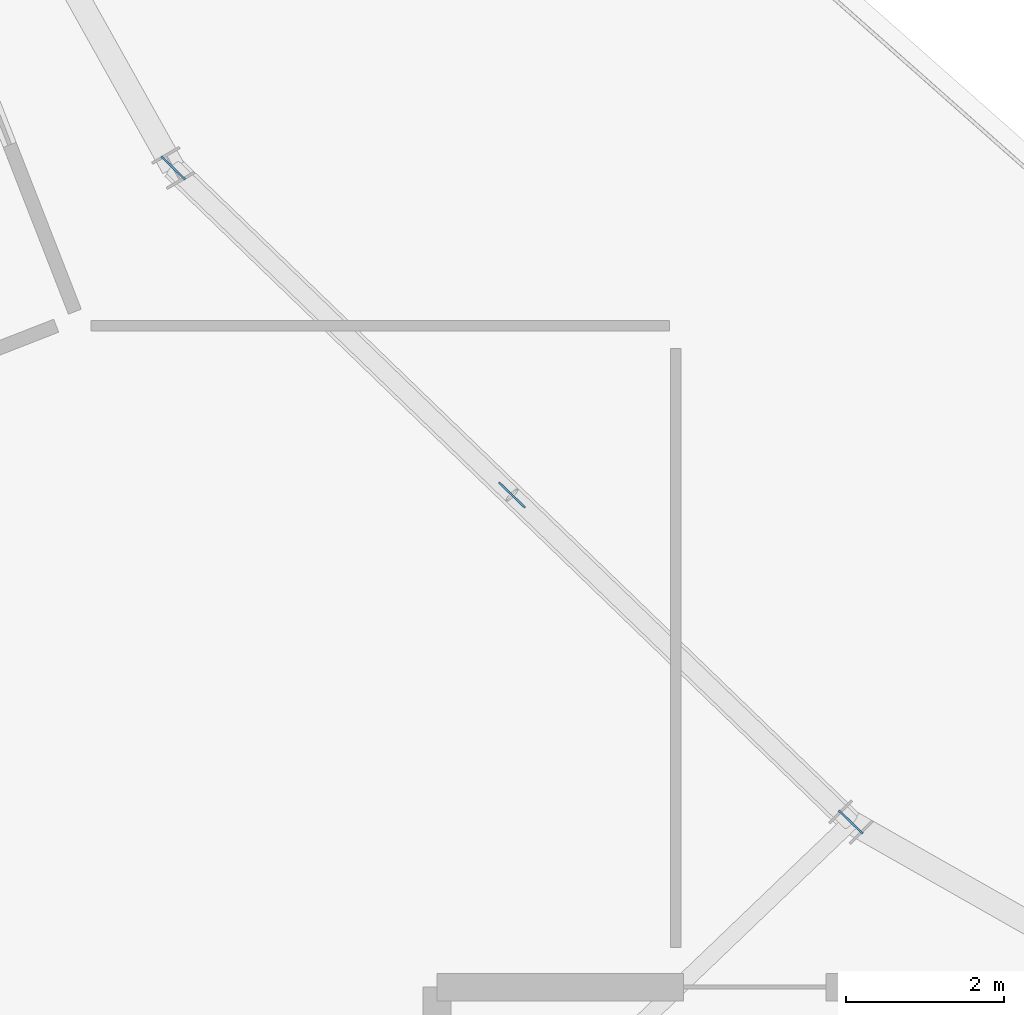
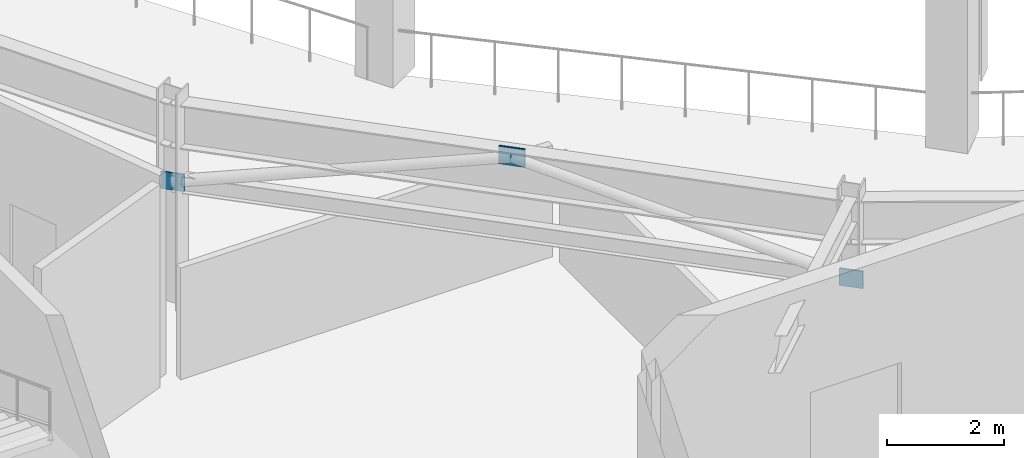
# One storey, part 79 of 123: 3 plates.
"""IFC4 building model written with IfcOpenShell, lengths in metres."""

import ifcopenshell
import ifcopenshell.guid

model = None  # the IFC model being written
_history = None  # IfcOwnerHistory: only IFC2X3 demands one
_inside = {}  # id of a spatial element -> (the spatial element, [elements in it])
_under = {}  # id of a project, library or spatial element -> (it, [spatial elements below it])
_declared = {}  # id of a project -> (the project, [libraries it declares])
_typed = {}  # id of a type object -> (the type object, [elements of that type])
_made_of = {}  # id of a material, layer set ... -> (it, [elements and type objects made of it])


def new_model(schema):
    """Start an empty IFC model of exactly this schema.

    Asked for "IFC4X3", IfcOpenShell would pick the latest addendum, in which some entities
    have other attributes; the version numbers below select the first issue.
    IFC2X3 requires an IfcOwnerHistory on every rooted entity: one is made here for all.
    """
    global model, _history
    if schema == "IFC4X3":
        model = ifcopenshell.file(schema_version=(4, 3, 0, 0))
    else:
        model = ifcopenshell.file(schema=schema)
    _inside.clear()
    _under.clear()
    _declared.clear()
    _typed.clear()
    _made_of.clear()
    _history = None
    if model.schema == "IFC2X3":
        org = make("IfcOrganization", Name="unknown")
        user = make(
            "IfcPersonAndOrganization",
            ThePerson=make("IfcPerson", FamilyName="unknown"),
            TheOrganization=org,
        )
        app = make(
            "IfcApplication",
            ApplicationDeveloper=org,
            Version="unknown",
            ApplicationFullName="unknown",
            ApplicationIdentifier="unknown",
        )
        _history = make(
            "IfcOwnerHistory",
            OwningUser=user,
            OwningApplication=app,
            ChangeAction="ADDED",
            CreationDate=0,
        )
    return model


def make(cls, **values):
    """One entity of the class cls with the attributes given. An attribute that is None is left unset."""
    return model.create_entity(
        cls, **{name: value for name, value in values.items() if value is not None}
    )


def rooted(cls, **values):
    """An entity with a GlobalId (a new one), such as an element, a storey or a relation."""
    return make(cls, GlobalId=ifcopenshell.guid.new(), OwnerHistory=_history, **values)


def si_unit(unit_type, name, prefix=None):
    """IfcSIUnit, for example si_unit("LENGTHUNIT", "METRE", prefix="MILLI")."""
    return make("IfcSIUnit", UnitType=unit_type, Prefix=prefix, Name=name)


def assignment(units):
    """IfcUnitAssignment: the units of a project."""
    return None if units is None else make("IfcUnitAssignment", Units=units)


def point(xyz):
    """IfcCartesianPoint."""
    return None if xyz is None else make("IfcCartesianPoint", Coordinates=xyz)


def direction(xyz):
    """IfcDirection."""
    return None if xyz is None else make("IfcDirection", DirectionRatios=xyz)


def frame(location, z_axis=None, x_axis=None):
    """IfcAxis2Placement3D, a coordinate frame: its origin and axes. An axis left out is left unset."""
    return make(
        "IfcAxis2Placement3D",
        Location=point(location),
        Axis=direction(z_axis),
        RefDirection=direction(x_axis),
    )


def frame_2d(location, x_axis=None):
    """IfcAxis2Placement2D, a coordinate frame in the plane: its origin and x axis."""
    return make(
        "IfcAxis2Placement2D", Location=point(location), RefDirection=direction(x_axis)
    )


def origin():
    """The frame at (0, 0, 0) with its axes left unset."""
    return frame((0.0, 0.0, 0.0))


def origin_2d():
    """The frame at (0, 0) in the plane with its x axis left unset."""
    return frame_2d((0.0, 0.0))


def place(relative_to, where):
    """IfcLocalPlacement: puts the frame where relative to a parent placement (None: the world)."""
    return make(
        "IfcLocalPlacement", PlacementRelTo=relative_to, RelativePlacement=where
    )


def context(
    kind, dimensions, precision=None, world=None, true_north=None, identifier=None
):
    """IfcGeometricRepresentationContext, for example the 3D "Model" context."""
    return make(
        "IfcGeometricRepresentationContext",
        ContextIdentifier=identifier,
        ContextType=kind,
        CoordinateSpaceDimension=dimensions,
        Precision=precision,
        WorldCoordinateSystem=world,
        TrueNorth=true_north,
    )


def subcontext(parent, identifier, kind, view, scale=None):
    """IfcGeometricRepresentationSubContext, for example "Body" below "Model"."""
    return make(
        "IfcGeometricRepresentationSubContext",
        ContextIdentifier=identifier,
        ContextType=kind,
        ParentContext=parent,
        TargetScale=scale,
        TargetView=view,
    )


def project(units=None, contexts=None):
    """IfcProject with its units and contexts."""
    return rooted(
        "IfcProject",
        Name="project",
        RepresentationContexts=contexts,
        UnitsInContext=assignment(units),
    )


def spatial(cls, under=None, at=None, **own):
    """A site, building, storey or space (cls), placed at a placement, below another one or the project."""
    s = rooted(cls, ObjectPlacement=at, **own)
    if under is not None:
        _under.setdefault(under.id(), (under, []))[1].append(s)
    return s


def profile(cls, at=None, kind="AREA", **sizes):
    """A parametric profile (cls). Its sizes go by their IFC names, for example OverallWidth=200.0."""
    return make(cls, ProfileType=kind, Position=at, **sizes)


def rectangle(**sizes):
    """IfcRectangleProfileDef."""
    return profile("IfcRectangleProfileDef", **sizes)


def extrude(swept, where, along, depth):
    """IfcExtrudedAreaSolid: the profile swept, set in the frame where, extruded along a direction by depth."""
    return make(
        "IfcExtrudedAreaSolid",
        SweptArea=swept,
        Position=where,
        ExtrudedDirection=direction(along),
        Depth=depth,
    )


def shape(context_of_items, identifier, shape_type, items):
    """IfcShapeRepresentation: the items that make up one representation, for example the "Body"."""
    return make(
        "IfcShapeRepresentation",
        ContextOfItems=context_of_items,
        RepresentationIdentifier=identifier,
        RepresentationType=shape_type,
        Items=items,
    )


def material(Name=None, Category=None):
    """IfcMaterial."""
    return make("IfcMaterial", Name=Name, Category=Category)


def layer(
    of_material, thickness, ventilated=None, Name=None, Category=None, Priority=None
):
    """IfcMaterialLayer: one layer of a wall or slab, of a material (None: an air gap)."""
    return make(
        "IfcMaterialLayer",
        Material=of_material,
        LayerThickness=thickness,
        IsVentilated=ventilated,
        Name=Name,
        Category=Category,
        Priority=Priority,
    )


def layer_set(layers, Name=None):
    """IfcMaterialLayerSet."""
    return make("IfcMaterialLayerSet", MaterialLayers=layers, LayerSetName=Name)


def made_of(thing, what):
    """Note that an element or type object is made of a material, layer set ...; save() writes the relation."""
    if what is not None:
        _made_of.setdefault(what.id(), (what, []))[1].append(thing)
    return thing


def type_object(cls, material=None, **own):
    """A type object (cls), such as IfcWallType, which elements share."""
    return made_of(rooted(cls, **own), material)


def element(
    cls,
    number,
    at=None,
    inside=None,
    cuts=None,
    type_object=None,
    material=None,
    context=None,
    identifier="Body",
    shape_type=None,
    held_by="IfcProductDefinitionShape",
    body=None,
    shapes=None,
    **own,
):
    """One element of the class cls, such as IfcWall. Its Tag is "e" and its number.

    at: its placement. inside: the storey or other place that contains it. cuts: it is an
    opening in that element (IfcRelVoidsElement). A single representation is given by context,
    identifier, shape_type and body (its items); several are given by shapes. held_by: the class
    of the entity that holds the representations. save() writes the other relations.
    """
    e = rooted(cls, Tag="e%d" % number, ObjectPlacement=at, **own)
    if body is not None:
        shapes = [shape(context, identifier, shape_type, body)]
    if shapes is not None:
        e.Representation = make(held_by, Representations=shapes)
    if inside is not None:
        _inside.setdefault(inside.id(), (inside, []))[1].append(e)
    if cuts is not None:
        rooted(
            "IfcRelVoidsElement", RelatingBuildingElement=cuts, RelatedOpeningElement=e
        )
    if type_object is not None:
        _typed.setdefault(type_object.id(), (type_object, []))[1].append(e)
    return made_of(e, material)


def aggregate(whole, parts):
    """IfcRelAggregates: a whole, such as a stair, and the parts it consists of."""
    return rooted("IfcRelAggregates", RelatingObject=whole, RelatedObjects=parts)


def save(model, path):
    """Write the relations noted so far, then the file.

    IfcRelAggregates (storeys below a building ...), IfcRelContainedInSpatialStructure (elements
    in a storey), IfcRelDefinesByType, IfcRelAssociatesMaterial and IfcRelDeclares: one each for
    every whole, place, type object, material and project.
    """
    for whole, parts in _under.values():
        aggregate(whole, parts)
    for where, things in _inside.values():
        rooted(
            "IfcRelContainedInSpatialStructure",
            RelatedElements=things,
            RelatingStructure=where,
        )
    for kind, things in _typed.values():
        rooted("IfcRelDefinesByType", RelatedObjects=things, RelatingType=kind)
    for what, things in _made_of.values():
        rooted("IfcRelAssociatesMaterial", RelatedObjects=things, RelatingMaterial=what)
    for by, libraries in _declared.values():
        rooted("IfcRelDeclares", RelatingContext=by, RelatedDefinitions=libraries)
    model.write(path)


model = new_model("IFC4")

# Units and contexts
model_context = context("Model", 3, precision=1e-05, world=origin(), true_north=direction((0.0, 1.0)))
body_context = subcontext(model_context, "Body", "Model", "MODEL_VIEW")
ifc_project = project(units=[si_unit("LENGTHUNIT", "METRE"), si_unit("AREAUNIT", "SQUARE_METRE"), si_unit("VOLUMEUNIT", "CUBIC_METRE"), si_unit("PLANEANGLEUNIT", "RADIAN"), si_unit("MASSUNIT", "GRAM", prefix="KILO")], contexts=[model_context])

# Site, building, storey
site_placement = place(None, origin())
site = spatial("IfcSite", under=ifc_project, at=site_placement, CompositionType="ELEMENT")
building_placement = place(site_placement, origin())
building = spatial("IfcBuilding", under=site, at=building_placement, Name="Kalgoora Escarpment Arena", CompositionType="ELEMENT")
storey_placement = place(building_placement, frame((0.0, 0.0, 9.89990234375)))
storey = spatial("IfcBuildingStorey", under=building, at=storey_placement, Name="L02", CompositionType="ELEMENT", Elevation=9.89990234375)

# Plates
ifc_material = material(Name="Structural steel Grade 350 (350 MPa)", Category="steel")
ifc_layer = layer(ifc_material, 0.02490234375)
ifc_layer_set = layer_set([ifc_layer], Name="PLT-GUSSET-25")
plate_type = type_object("IfcPlateType", Name="PLT-GUSSET-25", PredefinedType="USERDEFINED", material=ifc_layer_set)
plate_placement = place(storey_placement, frame((49.92529296875, 39.85791015625, 3.860107421875), z_axis=(0.0, 0.0, 1.0), x_axis=(0.719461030139, -0.6945328114, 0.0)))
element("IfcPlate", 1, at=plate_placement, inside=storey, type_object=plate_type, Name="L02 chevron gusset cap plate R15", ObjectType="FLANGE PLATE", PredefinedType="USERDEFINED", context=body_context, shape_type="SweptSolid", body=[
    extrude(rectangle(XDim=0.4599609375, YDim=0.02490234375, at=origin_2d()), origin(), (0.0, 0.0, 1.0), 0.3798828125),
])
for number, where, z_axis, x_axis, name in (
    (2, (45.634521484375, 44.0, 2.33984375), (0.0, 0.0, 1.0), (0.719339800339, -0.694658370459, 0.0), "Brace and post end gusset plate 021"),
    (3, (54.21630859375, 35.7158203125, 2.33984375), (0.0, 0.0, 1.0), (-0.719339800339, 0.694658370459, 0.0), "Brace and post end gusset plate 022"),
):
    element("IfcPlate", number, at=place(storey_placement, frame(where, z_axis=z_axis, x_axis=x_axis)), inside=storey, type_object=plate_type, Name=name, ObjectType="FLANGE PLATE", PredefinedType="USERDEFINED", context=body_context, shape_type="SweptSolid", body=[
        extrude(rectangle(XDim=0.419921875, YDim=0.02490234375, at=origin_2d()), origin(), (0.0, 0.0, 1.0), 0.360107421875),
    ])

save(model, "model.ifc")
